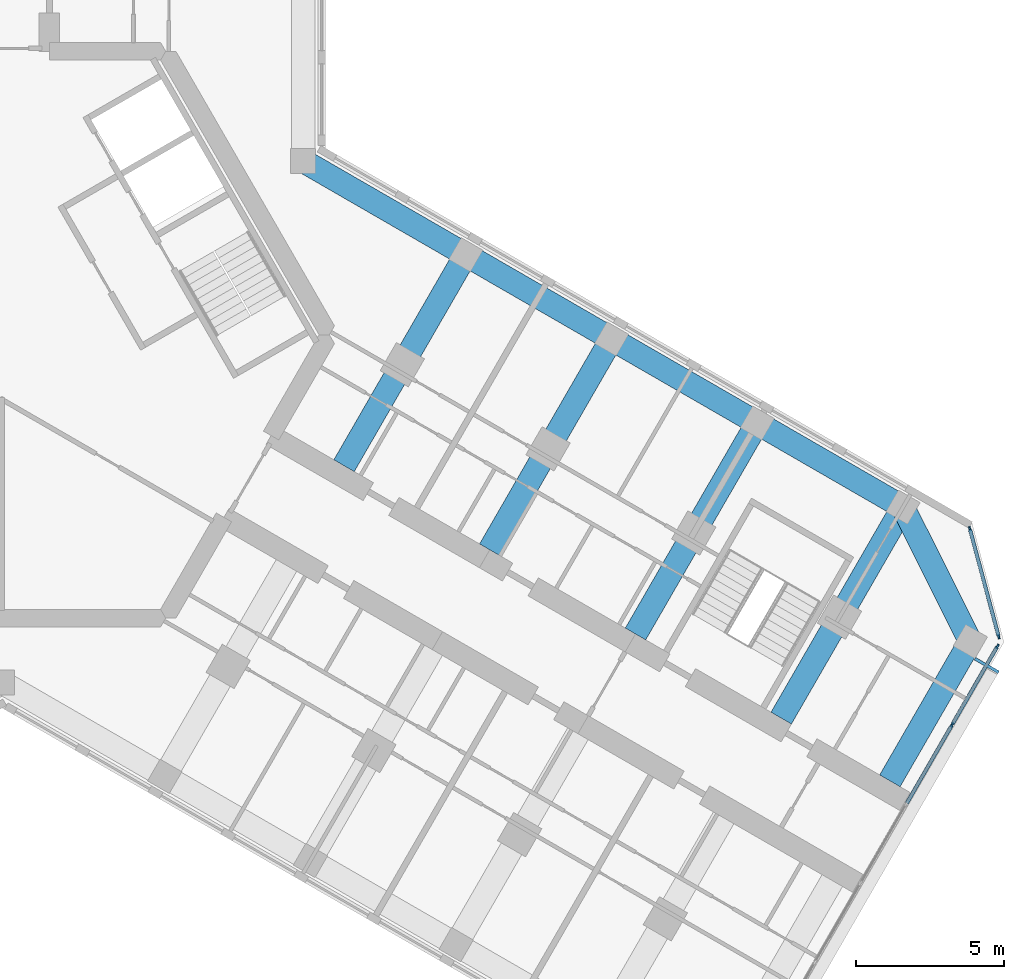
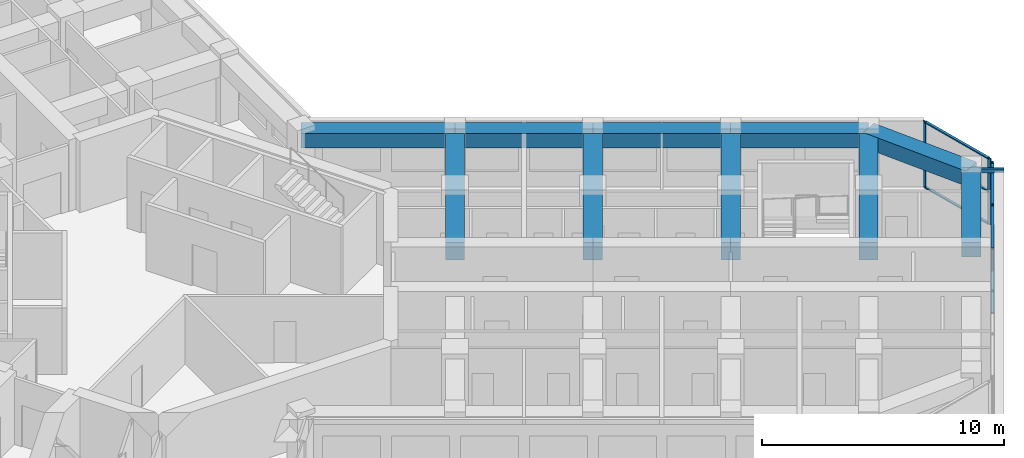
# One storey, part 5 of 16: 12 members, 10 beams, 2 elements without a shape of their own.
"""IFC4 building model written with IfcOpenShell, lengths in metres."""

import ifcopenshell
import ifcopenshell.guid

model = None  # the IFC model being written
_history = None  # IfcOwnerHistory: only IFC2X3 demands one
_inside = {}  # id of a spatial element -> (the spatial element, [elements in it])
_under = {}  # id of a project, library or spatial element -> (it, [spatial elements below it])
_declared = {}  # id of a project -> (the project, [libraries it declares])
_typed = {}  # id of a type object -> (the type object, [elements of that type])
_made_of = {}  # id of a material, layer set ... -> (it, [elements and type objects made of it])


def new_model(schema):
    """Start an empty IFC model of exactly this schema.

    Asked for "IFC4X3", IfcOpenShell would pick the latest addendum, in which some entities
    have other attributes; the version numbers below select the first issue.
    IFC2X3 requires an IfcOwnerHistory on every rooted entity: one is made here for all.
    """
    global model, _history
    if schema == "IFC4X3":
        model = ifcopenshell.file(schema_version=(4, 3, 0, 0))
    else:
        model = ifcopenshell.file(schema=schema)
    _inside.clear()
    _under.clear()
    _declared.clear()
    _typed.clear()
    _made_of.clear()
    _history = None
    if model.schema == "IFC2X3":
        org = make("IfcOrganization", Name="unknown")
        user = make(
            "IfcPersonAndOrganization",
            ThePerson=make("IfcPerson", FamilyName="unknown"),
            TheOrganization=org,
        )
        app = make(
            "IfcApplication",
            ApplicationDeveloper=org,
            Version="unknown",
            ApplicationFullName="unknown",
            ApplicationIdentifier="unknown",
        )
        _history = make(
            "IfcOwnerHistory",
            OwningUser=user,
            OwningApplication=app,
            ChangeAction="ADDED",
            CreationDate=0,
        )
    return model


def make(cls, **values):
    """One entity of the class cls with the attributes given. An attribute that is None is left unset."""
    return model.create_entity(
        cls, **{name: value for name, value in values.items() if value is not None}
    )


def rooted(cls, **values):
    """An entity with a GlobalId (a new one), such as an element, a storey or a relation."""
    return make(cls, GlobalId=ifcopenshell.guid.new(), OwnerHistory=_history, **values)


def si_unit(unit_type, name, prefix=None):
    """IfcSIUnit, for example si_unit("LENGTHUNIT", "METRE", prefix="MILLI")."""
    return make("IfcSIUnit", UnitType=unit_type, Prefix=prefix, Name=name)


def assignment(units):
    """IfcUnitAssignment: the units of a project."""
    return None if units is None else make("IfcUnitAssignment", Units=units)


def point(xyz):
    """IfcCartesianPoint."""
    return None if xyz is None else make("IfcCartesianPoint", Coordinates=xyz)


def direction(xyz):
    """IfcDirection."""
    return None if xyz is None else make("IfcDirection", DirectionRatios=xyz)


def frame(location, z_axis=None, x_axis=None):
    """IfcAxis2Placement3D, a coordinate frame: its origin and axes. An axis left out is left unset."""
    return make(
        "IfcAxis2Placement3D",
        Location=point(location),
        Axis=direction(z_axis),
        RefDirection=direction(x_axis),
    )


def frame_2d(location, x_axis=None):
    """IfcAxis2Placement2D, a coordinate frame in the plane: its origin and x axis."""
    return make(
        "IfcAxis2Placement2D", Location=point(location), RefDirection=direction(x_axis)
    )


def origin():
    """The frame at (0, 0, 0) with its axes left unset."""
    return frame((0.0, 0.0, 0.0))


def origin_2d():
    """The frame at (0, 0) in the plane with its x axis left unset."""
    return frame_2d((0.0, 0.0))


def place(relative_to, where):
    """IfcLocalPlacement: puts the frame where relative to a parent placement (None: the world)."""
    return make(
        "IfcLocalPlacement", PlacementRelTo=relative_to, RelativePlacement=where
    )


def context(
    kind, dimensions, precision=None, world=None, true_north=None, identifier=None
):
    """IfcGeometricRepresentationContext, for example the 3D "Model" context."""
    return make(
        "IfcGeometricRepresentationContext",
        ContextIdentifier=identifier,
        ContextType=kind,
        CoordinateSpaceDimension=dimensions,
        Precision=precision,
        WorldCoordinateSystem=world,
        TrueNorth=true_north,
    )


def subcontext(parent, identifier, kind, view, scale=None):
    """IfcGeometricRepresentationSubContext, for example "Body" below "Model"."""
    return make(
        "IfcGeometricRepresentationSubContext",
        ContextIdentifier=identifier,
        ContextType=kind,
        ParentContext=parent,
        TargetScale=scale,
        TargetView=view,
    )


def project(units=None, contexts=None):
    """IfcProject with its units and contexts."""
    return rooted(
        "IfcProject",
        Name="project",
        RepresentationContexts=contexts,
        UnitsInContext=assignment(units),
    )


def spatial(cls, under=None, at=None, **own):
    """A site, building, storey or space (cls), placed at a placement, below another one or the project."""
    s = rooted(cls, ObjectPlacement=at, **own)
    if under is not None:
        _under.setdefault(under.id(), (under, []))[1].append(s)
    return s


def profile(cls, at=None, kind="AREA", **sizes):
    """A parametric profile (cls). Its sizes go by their IFC names, for example OverallWidth=200.0."""
    return make(cls, ProfileType=kind, Position=at, **sizes)


def rectangle(**sizes):
    """IfcRectangleProfileDef."""
    return profile("IfcRectangleProfileDef", **sizes)


def hollow_rectangle(**sizes):
    """IfcRectangleHollowProfileDef."""
    return profile("IfcRectangleHollowProfileDef", **sizes)


def extrude(swept, where, along, depth):
    """IfcExtrudedAreaSolid: the profile swept, set in the frame where, extruded along a direction by depth."""
    return make(
        "IfcExtrudedAreaSolid",
        SweptArea=swept,
        Position=where,
        ExtrudedDirection=direction(along),
        Depth=depth,
    )


def shape(context_of_items, identifier, shape_type, items):
    """IfcShapeRepresentation: the items that make up one representation, for example the "Body"."""
    return make(
        "IfcShapeRepresentation",
        ContextOfItems=context_of_items,
        RepresentationIdentifier=identifier,
        RepresentationType=shape_type,
        Items=items,
    )


def material(Name=None, Category=None):
    """IfcMaterial."""
    return make("IfcMaterial", Name=Name, Category=Category)


def material_profile(
    of_material, cross_section, Name=None, Category=None, Priority=None
):
    """IfcMaterialProfile: a cross section and its material."""
    return make(
        "IfcMaterialProfile",
        Name=Name,
        Material=of_material,
        Profile=cross_section,
        Priority=Priority,
        Category=Category,
    )


def profile_set(profiles, Name=None, composite=None):
    """IfcMaterialProfileSet."""
    return make(
        "IfcMaterialProfileSet",
        Name=Name,
        MaterialProfiles=profiles,
        CompositeProfile=composite,
    )


def made_of(thing, what):
    """Note that an element or type object is made of a material, layer set ...; save() writes the relation."""
    if what is not None:
        _made_of.setdefault(what.id(), (what, []))[1].append(thing)
    return thing


def type_object(cls, material=None, **own):
    """A type object (cls), such as IfcWallType, which elements share."""
    return made_of(rooted(cls, **own), material)


def element(
    cls,
    number,
    at=None,
    inside=None,
    cuts=None,
    type_object=None,
    material=None,
    context=None,
    identifier="Body",
    shape_type=None,
    held_by="IfcProductDefinitionShape",
    body=None,
    shapes=None,
    **own,
):
    """One element of the class cls, such as IfcWall. Its Tag is "e" and its number.

    at: its placement. inside: the storey or other place that contains it. cuts: it is an
    opening in that element (IfcRelVoidsElement). A single representation is given by context,
    identifier, shape_type and body (its items); several are given by shapes. held_by: the class
    of the entity that holds the representations. save() writes the other relations.
    """
    e = rooted(cls, Tag="e%d" % number, ObjectPlacement=at, **own)
    if body is not None:
        shapes = [shape(context, identifier, shape_type, body)]
    if shapes is not None:
        e.Representation = make(held_by, Representations=shapes)
    if inside is not None:
        _inside.setdefault(inside.id(), (inside, []))[1].append(e)
    if cuts is not None:
        rooted(
            "IfcRelVoidsElement", RelatingBuildingElement=cuts, RelatedOpeningElement=e
        )
    if type_object is not None:
        _typed.setdefault(type_object.id(), (type_object, []))[1].append(e)
    return made_of(e, material)


def aggregate(whole, parts):
    """IfcRelAggregates: a whole, such as a stair, and the parts it consists of."""
    return rooted("IfcRelAggregates", RelatingObject=whole, RelatedObjects=parts)


def save(model, path):
    """Write the relations noted so far, then the file.

    IfcRelAggregates (storeys below a building ...), IfcRelContainedInSpatialStructure (elements
    in a storey), IfcRelDefinesByType, IfcRelAssociatesMaterial and IfcRelDeclares: one each for
    every whole, place, type object, material and project.
    """
    for whole, parts in _under.values():
        aggregate(whole, parts)
    for where, things in _inside.values():
        rooted(
            "IfcRelContainedInSpatialStructure",
            RelatedElements=things,
            RelatingStructure=where,
        )
    for kind, things in _typed.values():
        rooted("IfcRelDefinesByType", RelatedObjects=things, RelatingType=kind)
    for what, things in _made_of.values():
        rooted("IfcRelAssociatesMaterial", RelatedObjects=things, RelatingMaterial=what)
    for by, libraries in _declared.values():
        rooted("IfcRelDeclares", RelatingContext=by, RelatedDefinitions=libraries)
    model.write(path)


model = new_model("IFC4")

# Units and contexts
model_context = context("Model", 3, precision=1e-05, world=origin(), true_north=direction((0.0, 1.0)))
body_context = subcontext(model_context, "Body", "Model", "MODEL_VIEW")
ifc_project = project(units=[si_unit("LENGTHUNIT", "METRE"), si_unit("AREAUNIT", "SQUARE_METRE"), si_unit("VOLUMEUNIT", "CUBIC_METRE"), si_unit("PLANEANGLEUNIT", "RADIAN"), si_unit("MASSUNIT", "GRAM", prefix="KILO")], contexts=[model_context])

# Site, building, storey
site_placement = place(None, origin())
site = spatial("IfcSite", under=ifc_project, at=site_placement, CompositionType="ELEMENT")
building_placement = place(site_placement, origin())
building = spatial("IfcBuilding", under=site, at=building_placement, Name="Kosmar Iwan School Tower", CompositionType="ELEMENT")
storey_placement = place(building_placement, frame((0.0, 0.0, 231.60009765625)))
storey = spatial("IfcBuildingStorey", under=building, at=storey_placement, Name="L58", CompositionType="ELEMENT", Elevation=231.60009765625)

# Member
ifc_material_1 = material(Name="Steel S355", Category="steel")
ifc_material_profile_1 = material_profile(ifc_material_1, hollow_rectangle(XDim=0.10009765625, YDim=0.199951171875, WallThickness=0.008056640625, at=origin_2d()), Name="RHS 200x100x8")
ifc_profile_set_1 = profile_set([ifc_material_profile_1], Name="Steel S355")
member_type_1 = type_object("IfcMemberType", Name="Fin bracket RHS 200x100", PredefinedType="USERDEFINED", material=ifc_profile_set_1)
member_1_placement = place(storey_placement, frame((32.9541015625, -10.971923828125, 3.474853515625), z_axis=(0.865943820382, -0.500141279983, 0.0), x_axis=(0.500141279983, 0.865943820382, 0.0)))
element("IfcMember", 1, at=member_1_placement, inside=storey, type_object=member_type_1, Name="Fin bracket L59", ObjectType="FIN BRACKET", PredefinedType="USERDEFINED", context=body_context, shape_type="SweptSolid", body=[
    extrude(hollow_rectangle(XDim=0.10009765625, YDim=0.199951171875, WallThickness=0.008056640625, at=origin_2d()), origin(), (0.0, 0.0, 1.0), 0.925048828125),
])

# Curtain wall, members
ifc_material_2 = material(Name="Dark glass in black aluminium frame", Category="aluminium")
curtain_wall_type_1 = type_object("IfcCurtainWallType", Name="Tower curtain wall dark glass", PredefinedType="USERDEFINED", material=ifc_material_2)
curtain_wall_1_placement = place(storey_placement, origin())
curtain_wall_1 = element("IfcCurtainWall", 2, at=curtain_wall_1_placement, inside=storey, type_object=curtain_wall_type_1, Name="Curtain wall L58-F01", ObjectType="UNITISED CURTAIN WALL", PredefinedType="USERDEFINED")
ifc_material_3 = material(Name="Black anodised aluminium", Category="aluminium")
ifc_material_profile_2 = material_profile(ifc_material_3, rectangle(XDim=0.06005859375, YDim=0.159912109375, at=origin_2d()), Name="MULLION 60x160")
ifc_profile_set_2 = profile_set([ifc_material_profile_2], Name="Black anodised aluminium")
member_type_2 = type_object("IfcMemberType", Name="Mullion 60x160", PredefinedType="MULLION", material=ifc_profile_set_2)
member_2_placement = place(storey_placement, frame((32.1806640625, -13.21142578125, 0.0), z_axis=(0.0, 0.0, 1.0), x_axis=(-0.866025405329, 0.499999997325, 0.0)))
member_2 = element("IfcMember", 3, at=member_2_placement, type_object=member_type_2, Name="CW1 mullion 5", PredefinedType="MULLION", context=body_context, shape_type="SweptSolid", body=[
    extrude(rectangle(XDim=0.06005859375, YDim=0.159912109375, at=origin_2d()), origin(), (0.0, 0.0, 1.0), 3.349853515625),
])
member_3_placement = place(storey_placement, frame((33.71533203125, -10.55322265625, 0.0), z_axis=(0.0, 0.0, 1.0), x_axis=(-0.866025405329, 0.499999997325, 0.0)))
member_3 = element("IfcMember", 4, at=member_3_placement, type_object=member_type_2, Name="CW1 mullion 6", PredefinedType="MULLION", context=body_context, shape_type="SweptSolid", body=[
    extrude(rectangle(XDim=0.06005859375, YDim=0.159912109375, at=origin_2d()), origin(), (0.0, 0.0, 1.0), 3.349853515625),
])

ifc_material_4 = material(Name="Dark glass in black aluminium frame", Category="aluminium")
curtain_wall_type_2 = type_object("IfcCurtainWallType", Name="Chamfer curtain wall dark glass", PredefinedType="USERDEFINED", material=ifc_material_4)
curtain_wall_2_placement = place(storey_placement, origin())
curtain_wall_2 = element("IfcCurtainWall", 5, at=curtain_wall_2_placement, inside=storey, type_object=curtain_wall_type_2, Name="Curtain wall L58-F02", ObjectType="FACETED CURTAIN WALL", PredefinedType="USERDEFINED")
member_4_placement = place(storey_placement, frame((33.7587890625, -10.2236328125, 0.0), z_axis=(0.0, 0.0, 1.0), x_axis=(-0.965925875495, -0.258818861462, 0.0)))
member_4 = element("IfcMember", 6, at=member_4_placement, type_object=member_type_2, Name="CW2 mullion 1", PredefinedType="MULLION", context=body_context, shape_type="SweptSolid", body=[
    extrude(rectangle(XDim=0.06005859375, YDim=0.159912109375, at=origin_2d()), origin(), (0.0, 0.0, 1.0), 3.349853515625),
])
member_5_placement = place(storey_placement, frame((32.78076171875, -6.5732421875, 0.0), z_axis=(0.0, 0.0, 1.0), x_axis=(-0.965925875495, -0.258818861462, 0.0)))
member_5 = element("IfcMember", 7, at=member_5_placement, type_object=member_type_2, Name="CW2 mullion 2", PredefinedType="MULLION", context=body_context, shape_type="SweptSolid", body=[
    extrude(rectangle(XDim=0.06005859375, YDim=0.159912109375, at=origin_2d()), origin(), (0.0, 0.0, 1.0), 3.349853515625),
])

# Beams
ifc_material_5 = material(Name="Concrete C50/60", Category="concrete")
ifc_material_profile_3 = material_profile(ifc_material_5, rectangle(XDim=0.800048828125, YDim=0.75, at=origin_2d()), Name="RC 800x750")
ifc_profile_set_3 = profile_set([ifc_material_profile_3], Name="Concrete C50/60")
beam_type_1 = type_object("IfcBeamType", Name="RC edge beam 800x750", PredefinedType="BEAM", material=ifc_profile_set_3)
beam_1_placement = place(storey_placement, frame((10.199951171875, 5.888916015625, 2.974853515625), z_axis=(0.866030912664, -0.49999045822, 0.0), x_axis=(0.49999045822, 0.866030912664, 0.0)))
element("IfcBeam", 8, at=beam_1_placement, inside=storey, type_object=beam_type_1, Name="Edge beam CL1", PredefinedType="BEAM", context=body_context, shape_type="SweptSolid", body=[
    extrude(rectangle(XDim=0.800048828125, YDim=0.75, at=origin_2d()), origin(), (0.0, 0.0, 1.0), 6.36083984375),
])
beam_2_placement = place(storey_placement, frame((15.708740234375, 2.70849609375, 2.974853515625), z_axis=(0.866025820012, -0.499999279071, 0.0), x_axis=(0.499999279071, 0.866025820012, 0.0)))
element("IfcBeam", 9, at=beam_2_placement, inside=storey, type_object=beam_type_1, Name="Edge beam CL2", PredefinedType="BEAM", context=body_context, shape_type="SweptSolid", body=[
    extrude(rectangle(XDim=0.800048828125, YDim=0.75, at=origin_2d()), origin(), (0.0, 0.0, 1.0), 5.7001953125),
])
for number, where, z_axis, x_axis, name in (
    (10, (20.645263671875, -0.1416015625, 2.974853515625), (0.866033658841, -0.49998570155, 0.0), (0.49998570155, 0.866033658841, 0.0), "Edge beam CL3"),
    (11, (25.58154296875, -2.991455078125, 2.974853515625), (0.866015111908, -0.50001782563, 0.0), (0.50001782563, 0.866015111908, 0.0), "Edge beam CL4"),
):
    element("IfcBeam", number, at=place(storey_placement, frame(where, z_axis=z_axis, x_axis=x_axis)), inside=storey, type_object=beam_type_1, Name=name, PredefinedType="BEAM", context=body_context, shape_type="SweptSolid", body=[
        extrude(rectangle(XDim=0.800048828125, YDim=0.75, at=origin_2d()), origin(), (0.0, 0.0, 1.0), 5.699951171875),
    ])
ifc_material_6 = material(Name="Concrete C50/60", Category="concrete")
ifc_material_profile_4 = material_profile(ifc_material_6, rectangle(XDim=0.800048828125, YDim=0.75, at=origin_2d()), Name="RC 800x750")
ifc_profile_set_4 = profile_set([ifc_material_profile_4], Name="Concrete C50/60")
beam_type_2 = type_object("IfcBeamType", Name="RC tip beam 800x750", PredefinedType="BEAM", material=ifc_profile_set_4)
beam_3_placement = place(storey_placement, frame((30.517822265625, -5.841552734375, 2.974853515625), z_axis=(0.44809604203, -0.893985423325, 0.0), x_axis=(0.893985423325, 0.44809604203, 0.0)))
element("IfcBeam", 12, at=beam_3_placement, inside=storey, type_object=beam_type_2, Name="Tip beam CL", PredefinedType="BEAM", context=body_context, shape_type="SweptSolid", body=[
    extrude(rectangle(XDim=0.800048828125, YDim=0.75, at=origin_2d()), origin(), (0.0, 0.0, 1.0), 5.08935546875),
])
beam_4_placement = place(storey_placement, frame((32.79833984375, -10.391357421875, 2.974853515625), z_axis=(-0.49996933381, -0.866043108194, 0.0), x_axis=(0.866043108194, -0.49996933381, 0.0)))
element("IfcBeam", 13, at=beam_4_placement, inside=storey, type_object=beam_type_2, Name="Tip beam CL to corridor wall", PredefinedType="BEAM", context=body_context, shape_type="SweptSolid", body=[
    extrude(rectangle(XDim=0.800048828125, YDim=0.75, at=origin_2d()), origin(), (0.0, 0.0, 1.0), 5.449951171875),
])
ifc_material_7 = material(Name="Concrete C50/60", Category="concrete")
ifc_material_profile_5 = material_profile(ifc_material_7, rectangle(XDim=0.800048828125, YDim=0.89990234375, at=origin_2d()), Name="RC 800x900")
ifc_profile_set_5 = profile_set([ifc_material_profile_5], Name="Concrete C50/60")
beam_type_3 = type_object("IfcBeamType", Name="RC transverse beam 800x900", PredefinedType="BEAM", material=ifc_profile_set_5)
beam_5_placement = place(storey_placement, frame((15.708740234375, 2.70849609375, 2.89990234375), z_axis=(-0.499996545922, -0.866027397988, 0.0), x_axis=(0.866027397988, -0.499996545922, 0.0)))
element("IfcBeam", 14, at=beam_5_placement, inside=storey, type_object=beam_type_3, Name="Transverse beam CL1", PredefinedType="BEAM", context=body_context, shape_type="SweptSolid", body=[
    extrude(rectangle(XDim=0.800048828125, YDim=0.89990234375, at=origin_2d()), origin(), (0.0, 0.0, 1.0), 8.25),
])
beam_6_placement = place(storey_placement, frame((20.645263671875, -0.1416015625, 2.89990234375), z_axis=(-0.500009360108, -0.866019999656, 0.0), x_axis=(0.866019999656, -0.500009360108, 0.0)))
element("IfcBeam", 15, at=beam_6_placement, inside=storey, type_object=beam_type_3, Name="Transverse beam CL2", PredefinedType="BEAM", context=body_context, shape_type="SweptSolid", body=[
    extrude(rectangle(XDim=0.800048828125, YDim=0.89990234375, at=origin_2d()), origin(), (0.0, 0.0, 1.0), 8.249755859375),
])
for number, where, z_axis, x_axis, name in (
    (16, (25.58154296875, -2.991455078125, 2.89990234375), (-0.499996545922, -0.866027397988, 0.0), (0.866027397988, -0.499996545922, 0.0), "Transverse beam CL3"),
    (17, (30.517822265625, -5.841552734375, 2.89990234375), (-0.499996545922, -0.866027397988, 0.0), (0.866027397988, -0.499996545922, 0.0), "Transverse beam CL4"),
):
    element("IfcBeam", number, at=place(storey_placement, frame(where, z_axis=z_axis, x_axis=x_axis)), inside=storey, type_object=beam_type_3, Name=name, PredefinedType="BEAM", context=body_context, shape_type="SweptSolid", body=[
        extrude(rectangle(XDim=0.800048828125, YDim=0.89990234375, at=origin_2d()), origin(), (0.0, 0.0, 1.0), 8.25),
    ])

# Member
ifc_material_8 = material(Name="Black anodised aluminium", Category="aluminium")
ifc_material_profile_6 = material_profile(ifc_material_8, rectangle(XDim=0.1201171875, YDim=0.06005859375, at=origin_2d()), Name="TRANSOM 60x120")
ifc_profile_set_6 = profile_set([ifc_material_profile_6], Name="Black anodised aluminium")
member_type_3 = type_object("IfcMemberType", Name="Transom 60x120", PredefinedType="USERDEFINED", material=ifc_profile_set_6)
member_6_placement = place(storey_placement, frame((30.64599609375, -15.869384765625, 0.02978515625), z_axis=(0.500035348339, 0.866004994449, 0.0), x_axis=(-0.866004994449, 0.500035348339, 0.0)))
member_6 = element("IfcMember", 18, at=member_6_placement, type_object=member_type_3, Name="CW1 transom 4.1", ObjectType="TRANSOM", PredefinedType="USERDEFINED", context=body_context, shape_type="SweptSolid", body=[
    extrude(rectangle(XDim=0.1201171875, YDim=0.06005859375, at=origin_2d()), origin(), (0.0, 0.0, 1.0), 3.039306640625),
])

member_7_placement = place(storey_placement, frame((30.64599609375, -15.869384765625, 3.31982421875), z_axis=(0.500035348339, 0.866004994449, 0.0), x_axis=(-0.866004994449, 0.500035348339, 0.0)))
member_7 = element("IfcMember", 19, at=member_7_placement, type_object=member_type_3, Name="CW1 transom 4.2", ObjectType="TRANSOM", PredefinedType="USERDEFINED", context=body_context, shape_type="SweptSolid", body=[
    extrude(rectangle(XDim=0.1201171875, YDim=0.06005859375, at=origin_2d()), origin(), (0.0, 0.0, 1.0), 3.039306640625),
])

member_8_placement = place(storey_placement, frame((32.19580078125, -13.185302734375, 0.02978515625), z_axis=(0.500022102064, 0.866012642776, 0.0), x_axis=(-0.866012642776, 0.500022102064, 0.0)))
member_8 = element("IfcMember", 20, at=member_8_placement, type_object=member_type_3, Name="CW1 transom 5.1", ObjectType="TRANSOM", PredefinedType="USERDEFINED", context=body_context, shape_type="SweptSolid", body=[
    extrude(rectangle(XDim=0.1201171875, YDim=0.06005859375, at=origin_2d()), origin(), (0.0, 0.0, 1.0), 3.009033203125),
])

member_9_placement = place(storey_placement, frame((32.19580078125, -13.185302734375, 3.31982421875), z_axis=(0.500022102064, 0.866012642776, 0.0), x_axis=(-0.866012642776, 0.500022102064, 0.0)))
member_9 = element("IfcMember", 21, at=member_9_placement, type_object=member_type_3, Name="CW1 transom 5.2", ObjectType="TRANSOM", PredefinedType="USERDEFINED", context=body_context, shape_type="SweptSolid", body=[
    extrude(rectangle(XDim=0.1201171875, YDim=0.06005859375, at=origin_2d()), origin(), (0.0, 0.0, 1.0), 3.009033203125),
])

aggregate(curtain_wall_1, [member_2, member_3, member_6, member_7, member_8, member_9])

member_10_placement = place(storey_placement, frame((33.7509765625, -10.194580078125, 0.02978515625), z_axis=(-0.258843273983, 0.965919333854, 0.0), x_axis=(-0.965919333854, -0.258843273983, 0.0)))
member_10 = element("IfcMember", 22, at=member_10_placement, type_object=member_type_3, Name="CW2 transom 1.1", ObjectType="TRANSOM", PredefinedType="USERDEFINED", context=body_context, shape_type="SweptSolid", body=[
    extrude(rectangle(XDim=0.1201171875, YDim=0.06005859375, at=origin_2d()), origin(), (0.0, 0.0, 1.0), 3.718994140625),
])

member_11_placement = place(storey_placement, frame((33.7509765625, -10.194580078125, 1.6748046875), z_axis=(-0.258843273983, 0.965919333854, 0.0), x_axis=(-0.965919333854, -0.258843273983, 0.0)))
member_11 = element("IfcMember", 23, at=member_11_placement, type_object=member_type_3, Name="CW2 transom 1.2", ObjectType="TRANSOM", PredefinedType="USERDEFINED", context=body_context, shape_type="SweptSolid", body=[
    extrude(rectangle(XDim=0.1201171875, YDim=0.06005859375, at=origin_2d()), origin(), (0.0, 0.0, 1.0), 3.718994140625),
])

member_12_placement = place(storey_placement, frame((33.7509765625, -10.194580078125, 3.31982421875), z_axis=(-0.258843273983, 0.965919333854, 0.0), x_axis=(-0.965919333854, -0.258843273983, 0.0)))
member_12 = element("IfcMember", 24, at=member_12_placement, type_object=member_type_3, Name="CW2 transom 1.3", ObjectType="TRANSOM", PredefinedType="USERDEFINED", context=body_context, shape_type="SweptSolid", body=[
    extrude(rectangle(XDim=0.1201171875, YDim=0.06005859375, at=origin_2d()), origin(), (0.0, 0.0, 1.0), 3.718994140625),
])

aggregate(curtain_wall_2, [member_4, member_5, member_10, member_11, member_12])

save(model, "model.ifc")
